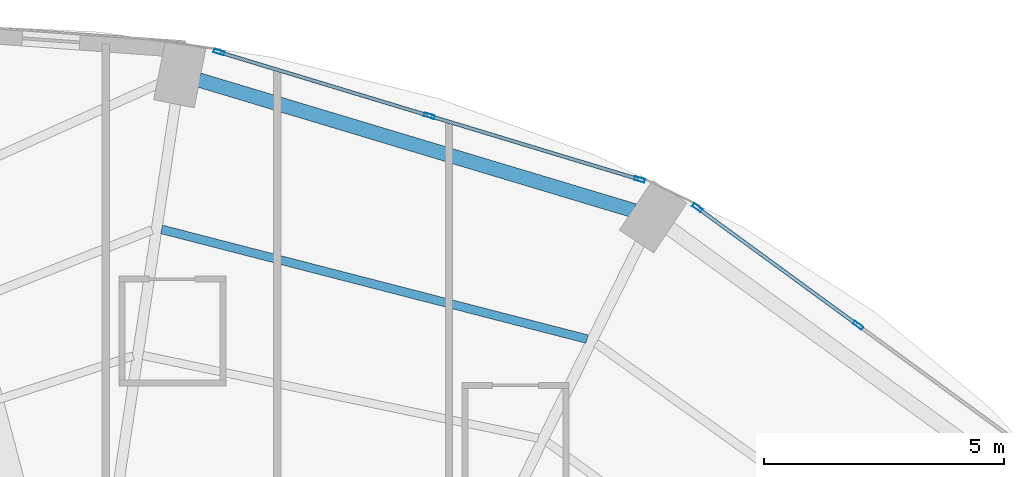
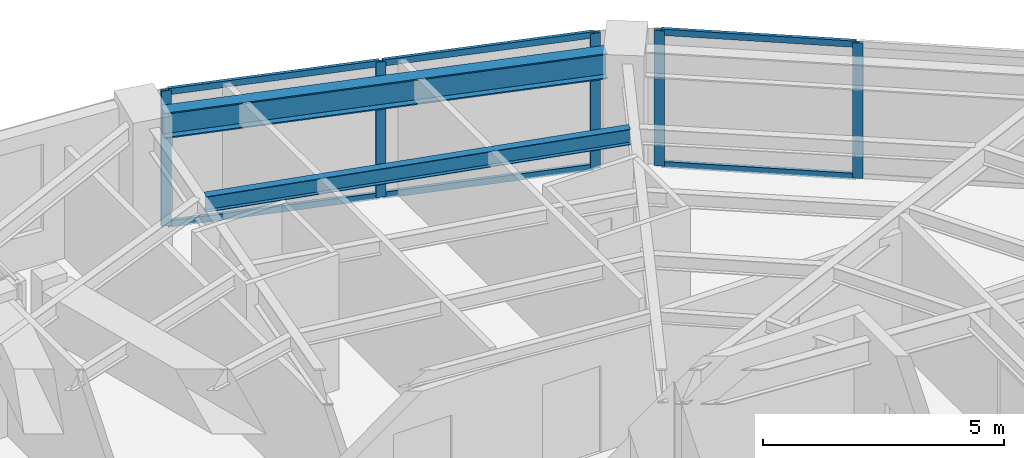
# One storey, part 18 of 25: 11 members, 2 beams, 2 elements without a shape of their own.
"""IFC4 building model written with IfcOpenShell, lengths in metres."""

import ifcopenshell
import ifcopenshell.guid

model = None  # the IFC model being written
_history = None  # IfcOwnerHistory: only IFC2X3 demands one
_inside = {}  # id of a spatial element -> (the spatial element, [elements in it])
_under = {}  # id of a project, library or spatial element -> (it, [spatial elements below it])
_declared = {}  # id of a project -> (the project, [libraries it declares])
_typed = {}  # id of a type object -> (the type object, [elements of that type])
_made_of = {}  # id of a material, layer set ... -> (it, [elements and type objects made of it])


def new_model(schema):
    """Start an empty IFC model of exactly this schema.

    Asked for "IFC4X3", IfcOpenShell would pick the latest addendum, in which some entities
    have other attributes; the version numbers below select the first issue.
    IFC2X3 requires an IfcOwnerHistory on every rooted entity: one is made here for all.
    """
    global model, _history
    if schema == "IFC4X3":
        model = ifcopenshell.file(schema_version=(4, 3, 0, 0))
    else:
        model = ifcopenshell.file(schema=schema)
    _inside.clear()
    _under.clear()
    _declared.clear()
    _typed.clear()
    _made_of.clear()
    _history = None
    if model.schema == "IFC2X3":
        org = make("IfcOrganization", Name="unknown")
        user = make(
            "IfcPersonAndOrganization",
            ThePerson=make("IfcPerson", FamilyName="unknown"),
            TheOrganization=org,
        )
        app = make(
            "IfcApplication",
            ApplicationDeveloper=org,
            Version="unknown",
            ApplicationFullName="unknown",
            ApplicationIdentifier="unknown",
        )
        _history = make(
            "IfcOwnerHistory",
            OwningUser=user,
            OwningApplication=app,
            ChangeAction="ADDED",
            CreationDate=0,
        )
    return model


def make(cls, **values):
    """One entity of the class cls with the attributes given. An attribute that is None is left unset."""
    return model.create_entity(
        cls, **{name: value for name, value in values.items() if value is not None}
    )


def rooted(cls, **values):
    """An entity with a GlobalId (a new one), such as an element, a storey or a relation."""
    return make(cls, GlobalId=ifcopenshell.guid.new(), OwnerHistory=_history, **values)


def si_unit(unit_type, name, prefix=None):
    """IfcSIUnit, for example si_unit("LENGTHUNIT", "METRE", prefix="MILLI")."""
    return make("IfcSIUnit", UnitType=unit_type, Prefix=prefix, Name=name)


def assignment(units):
    """IfcUnitAssignment: the units of a project."""
    return None if units is None else make("IfcUnitAssignment", Units=units)


def point(xyz):
    """IfcCartesianPoint."""
    return None if xyz is None else make("IfcCartesianPoint", Coordinates=xyz)


def direction(xyz):
    """IfcDirection."""
    return None if xyz is None else make("IfcDirection", DirectionRatios=xyz)


def frame(location, z_axis=None, x_axis=None):
    """IfcAxis2Placement3D, a coordinate frame: its origin and axes. An axis left out is left unset."""
    return make(
        "IfcAxis2Placement3D",
        Location=point(location),
        Axis=direction(z_axis),
        RefDirection=direction(x_axis),
    )


def frame_2d(location, x_axis=None):
    """IfcAxis2Placement2D, a coordinate frame in the plane: its origin and x axis."""
    return make(
        "IfcAxis2Placement2D", Location=point(location), RefDirection=direction(x_axis)
    )


def origin():
    """The frame at (0, 0, 0) with its axes left unset."""
    return frame((0.0, 0.0, 0.0))


def origin_2d():
    """The frame at (0, 0) in the plane with its x axis left unset."""
    return frame_2d((0.0, 0.0))


def place(relative_to, where):
    """IfcLocalPlacement: puts the frame where relative to a parent placement (None: the world)."""
    return make(
        "IfcLocalPlacement", PlacementRelTo=relative_to, RelativePlacement=where
    )


def context(
    kind, dimensions, precision=None, world=None, true_north=None, identifier=None
):
    """IfcGeometricRepresentationContext, for example the 3D "Model" context."""
    return make(
        "IfcGeometricRepresentationContext",
        ContextIdentifier=identifier,
        ContextType=kind,
        CoordinateSpaceDimension=dimensions,
        Precision=precision,
        WorldCoordinateSystem=world,
        TrueNorth=true_north,
    )


def subcontext(parent, identifier, kind, view, scale=None):
    """IfcGeometricRepresentationSubContext, for example "Body" below "Model"."""
    return make(
        "IfcGeometricRepresentationSubContext",
        ContextIdentifier=identifier,
        ContextType=kind,
        ParentContext=parent,
        TargetScale=scale,
        TargetView=view,
    )


def project(units=None, contexts=None):
    """IfcProject with its units and contexts."""
    return rooted(
        "IfcProject",
        Name="project",
        RepresentationContexts=contexts,
        UnitsInContext=assignment(units),
    )


def spatial(cls, under=None, at=None, **own):
    """A site, building, storey or space (cls), placed at a placement, below another one or the project."""
    s = rooted(cls, ObjectPlacement=at, **own)
    if under is not None:
        _under.setdefault(under.id(), (under, []))[1].append(s)
    return s


def profile(cls, at=None, kind="AREA", **sizes):
    """A parametric profile (cls). Its sizes go by their IFC names, for example OverallWidth=200.0."""
    return make(cls, ProfileType=kind, Position=at, **sizes)


def hollow_rectangle(**sizes):
    """IfcRectangleHollowProfileDef."""
    return profile("IfcRectangleHollowProfileDef", **sizes)


def i_section(**sizes):
    """IfcIShapeProfileDef."""
    return profile("IfcIShapeProfileDef", **sizes)


def extrude(swept, where, along, depth):
    """IfcExtrudedAreaSolid: the profile swept, set in the frame where, extruded along a direction by depth."""
    return make(
        "IfcExtrudedAreaSolid",
        SweptArea=swept,
        Position=where,
        ExtrudedDirection=direction(along),
        Depth=depth,
    )


def shape(context_of_items, identifier, shape_type, items):
    """IfcShapeRepresentation: the items that make up one representation, for example the "Body"."""
    return make(
        "IfcShapeRepresentation",
        ContextOfItems=context_of_items,
        RepresentationIdentifier=identifier,
        RepresentationType=shape_type,
        Items=items,
    )


def material(Name=None, Category=None):
    """IfcMaterial."""
    return make("IfcMaterial", Name=Name, Category=Category)


def layer(
    of_material, thickness, ventilated=None, Name=None, Category=None, Priority=None
):
    """IfcMaterialLayer: one layer of a wall or slab, of a material (None: an air gap)."""
    return make(
        "IfcMaterialLayer",
        Material=of_material,
        LayerThickness=thickness,
        IsVentilated=ventilated,
        Name=Name,
        Category=Category,
        Priority=Priority,
    )


def layer_set(layers, Name=None):
    """IfcMaterialLayerSet."""
    return make("IfcMaterialLayerSet", MaterialLayers=layers, LayerSetName=Name)


def material_profile(
    of_material, cross_section, Name=None, Category=None, Priority=None
):
    """IfcMaterialProfile: a cross section and its material."""
    return make(
        "IfcMaterialProfile",
        Name=Name,
        Material=of_material,
        Profile=cross_section,
        Priority=Priority,
        Category=Category,
    )


def profile_set(profiles, Name=None, composite=None):
    """IfcMaterialProfileSet."""
    return make(
        "IfcMaterialProfileSet",
        Name=Name,
        MaterialProfiles=profiles,
        CompositeProfile=composite,
    )


def made_of(thing, what):
    """Note that an element or type object is made of a material, layer set ...; save() writes the relation."""
    if what is not None:
        _made_of.setdefault(what.id(), (what, []))[1].append(thing)
    return thing


def type_object(cls, material=None, **own):
    """A type object (cls), such as IfcWallType, which elements share."""
    return made_of(rooted(cls, **own), material)


def element(
    cls,
    number,
    at=None,
    inside=None,
    cuts=None,
    type_object=None,
    material=None,
    context=None,
    identifier="Body",
    shape_type=None,
    held_by="IfcProductDefinitionShape",
    body=None,
    shapes=None,
    **own,
):
    """One element of the class cls, such as IfcWall. Its Tag is "e" and its number.

    at: its placement. inside: the storey or other place that contains it. cuts: it is an
    opening in that element (IfcRelVoidsElement). A single representation is given by context,
    identifier, shape_type and body (its items); several are given by shapes. held_by: the class
    of the entity that holds the representations. save() writes the other relations.
    """
    e = rooted(cls, Tag="e%d" % number, ObjectPlacement=at, **own)
    if body is not None:
        shapes = [shape(context, identifier, shape_type, body)]
    if shapes is not None:
        e.Representation = make(held_by, Representations=shapes)
    if inside is not None:
        _inside.setdefault(inside.id(), (inside, []))[1].append(e)
    if cuts is not None:
        rooted(
            "IfcRelVoidsElement", RelatingBuildingElement=cuts, RelatedOpeningElement=e
        )
    if type_object is not None:
        _typed.setdefault(type_object.id(), (type_object, []))[1].append(e)
    return made_of(e, material)


def aggregate(whole, parts):
    """IfcRelAggregates: a whole, such as a stair, and the parts it consists of."""
    return rooted("IfcRelAggregates", RelatingObject=whole, RelatedObjects=parts)


def save(model, path):
    """Write the relations noted so far, then the file.

    IfcRelAggregates (storeys below a building ...), IfcRelContainedInSpatialStructure (elements
    in a storey), IfcRelDefinesByType, IfcRelAssociatesMaterial and IfcRelDeclares: one each for
    every whole, place, type object, material and project.
    """
    for whole, parts in _under.values():
        aggregate(whole, parts)
    for where, things in _inside.values():
        rooted(
            "IfcRelContainedInSpatialStructure",
            RelatedElements=things,
            RelatingStructure=where,
        )
    for kind, things in _typed.values():
        rooted("IfcRelDefinesByType", RelatedObjects=things, RelatingType=kind)
    for what, things in _made_of.values():
        rooted("IfcRelAssociatesMaterial", RelatedObjects=things, RelatingMaterial=what)
    for by, libraries in _declared.values():
        rooted("IfcRelDeclares", RelatingContext=by, RelatedDefinitions=libraries)
    model.write(path)


model = new_model("IFC4")

# Units and contexts
model_context = context("Model", 3, precision=1e-05, world=origin(), true_north=direction((0.0, 1.0)))
body_context = subcontext(model_context, "Body", "Model", "MODEL_VIEW")
ifc_project = project(units=[si_unit("LENGTHUNIT", "METRE"), si_unit("AREAUNIT", "SQUARE_METRE"), si_unit("VOLUMEUNIT", "CUBIC_METRE"), si_unit("PLANEANGLEUNIT", "RADIAN"), si_unit("MASSUNIT", "GRAM", prefix="KILO")], contexts=[model_context])

# Site, building, storey
site_placement = place(None, origin())
site = spatial("IfcSite", under=ifc_project, at=site_placement, CompositionType="ELEMENT")
building_placement = place(site_placement, origin())
building = spatial("IfcBuilding", under=site, at=building_placement, Name="Lazwardi Medical Tower", CompositionType="ELEMENT")
storey_placement = place(building_placement, frame((0.0, 0.0, 50.736083984375)))
storey = spatial("IfcBuildingStorey", under=building, at=storey_placement, Name="L12", CompositionType="ELEMENT", Elevation=50.736083984375)

# Beams
ifc_material_1 = material(Name="Steel S355", Category="steel")
ifc_material_profile_1 = material_profile(ifc_material_1, i_section(OverallWidth=0.300048828125, OverallDepth=0.64990234375, WebThickness=0.01611328125, FlangeThickness=0.031005859375, at=origin_2d()), Name="HEB 650")
ifc_profile_set_1 = profile_set([ifc_material_profile_1], Name="Steel S355")
beam_type_1 = type_object("IfcBeamType", Name="BM-RB-Z1", PredefinedType="BEAM", material=ifc_profile_set_1)
beam_1_placement = place(storey_placement, frame((50.77880859375, 47.0048828125, 3.10302734375), z_axis=(-0.957695289269, 0.287784177662, 0.0), x_axis=(-0.287784177662, -0.957695289269, 0.0)))
element("IfcBeam", 1, at=beam_1_placement, inside=storey, type_object=beam_type_1, Name="Ring beam RB-02 B07 L12", PredefinedType="BEAM", context=body_context, shape_type="SweptSolid", body=[
    extrude(i_section(OverallWidth=0.300048828125, OverallDepth=0.64990234375, WebThickness=0.01611328125, FlangeThickness=0.031005859375, at=origin_2d()), origin(), (0.0, 0.0, 1.0), 9.445556640625),
])
ifc_material_profile_2 = material_profile(ifc_material_1, i_section(OverallWidth=0.179931640625, OverallDepth=0.39990234375, WebThickness=0.008544921875, FlangeThickness=0.013427734375, at=origin_2d()), Name="IPE 400")
ifc_profile_set_2 = profile_set([ifc_material_profile_2], Name="Steel S355")
beam_type_2 = type_object("IfcBeamType", Name="BM-SJ-01", PredefinedType="JOIST", material=ifc_profile_set_2)
beam_2_placement = place(storey_placement, frame((49.804931640625, 44.333251953125, 3.22802734375), z_axis=(-0.968316918308, 0.249724539682, 0.0), x_axis=(-0.249724539682, -0.968316918308, 0.0)))
element("IfcBeam", 2, at=beam_2_placement, inside=storey, type_object=beam_type_2, Name="Secondary joist SJ-01 R1 B07 L12", PredefinedType="JOIST", context=body_context, shape_type="SweptSolid", body=[
    extrude(i_section(OverallWidth=0.179931640625, OverallDepth=0.39990234375, WebThickness=0.008544921875, FlangeThickness=0.013427734375, at=origin_2d()), origin(), (0.0, 0.0, 1.0), 9.140869140625),
])

# Curtain wall, members
ifc_material_2 = material(Name="Anodised bronze aluminium and solar control glazing", Category="aluminium")
ifc_layer = layer(ifc_material_2, 0.199951171875)
ifc_layer_set = layer_set([ifc_layer], Name="Anodised bronze aluminium and solar control glazing")
curtain_wall_type = type_object("IfcCurtainWallType", Name="CW-SYS-02", PredefinedType="NOTDEFINED", material=ifc_layer_set)
curtain_wall_1_placement = place(storey_placement, origin())
curtain_wall_1 = element("IfcCurtainWall", 3, at=curtain_wall_1_placement, inside=storey, type_object=curtain_wall_type, Name="L12 Unitised bronze curtain wall CW-02", PredefinedType="NOTDEFINED")
ifc_material_3 = material(Name="Anodised bronze aluminium", Category="aluminium")
ifc_material_profile_3 = material_profile(ifc_material_3, hollow_rectangle(XDim=0.074951171875, YDim=0.219970703125, WallThickness=0.00390625, at=origin_2d()), Name="ALU-MULLION 220x75x4")
ifc_profile_set_3 = profile_set([ifc_material_profile_3], Name="Anodised bronze aluminium")
member_type_1 = type_object("IfcMemberType", Name="CW-MUL-01", PredefinedType="MULLION", material=ifc_profile_set_3)
member_1_placement = place(storey_placement, frame((55.4443359375, 44.619384765625, 0.0), z_axis=(0.0, 0.0, 1.0), x_axis=(-0.590289307341, -0.807191757663, 0.0)))
member_1 = element("IfcMember", 4, at=member_1_placement, type_object=member_type_1, Name="CW-02 mullion 2", PredefinedType="MULLION", context=body_context, shape_type="SweptSolid", body=[
    extrude(hollow_rectangle(XDim=0.074951171875, YDim=0.219970703125, WallThickness=0.00390625, at=origin_2d()), origin(), (0.0, 0.0, 1.0), 3.427978515625),
])
member_2_placement = place(storey_placement, frame((52.0986328125, 47.066162109375, 0.0), z_axis=(0.0, 0.0, 1.0), x_axis=(-0.590289307341, -0.807191757663, 0.0)))
member_2 = element("IfcMember", 5, at=member_2_placement, type_object=member_type_1, Name="CW-02 mullion 3", PredefinedType="MULLION", context=body_context, shape_type="SweptSolid", body=[
    extrude(hollow_rectangle(XDim=0.074951171875, YDim=0.219970703125, WallThickness=0.00390625, at=origin_2d()), origin(), (0.0, 0.0, 1.0), 3.427978515625),
])

curtain_wall_2_placement = place(storey_placement, origin())
curtain_wall_2 = element("IfcCurtainWall", 6, at=curtain_wall_2_placement, inside=storey, type_object=curtain_wall_type, Name="L12 Unitised bronze curtain wall CW-02", PredefinedType="NOTDEFINED")
member_3_placement = place(storey_placement, frame((50.8984375, 47.653076171875, 0.0), z_axis=(0.0, 0.0, 1.0), x_axis=(-0.2898956909, -0.957058247129, 0.0)))
member_3 = element("IfcMember", 7, at=member_3_placement, type_object=member_type_1, Name="CW-02 mullion 1", PredefinedType="MULLION", context=body_context, shape_type="SweptSolid", body=[
    extrude(hollow_rectangle(XDim=0.074951171875, YDim=0.219970703125, WallThickness=0.00390625, at=origin_2d()), origin(), (0.0, 0.0, 1.0), 3.427978515625),
])
member_4_placement = place(storey_placement, frame((46.523193359375, 48.978515625, 0.0), z_axis=(0.0, 0.0, 1.0), x_axis=(-0.2898956909, -0.957058247129, 0.0)))
member_4 = element("IfcMember", 8, at=member_4_placement, type_object=member_type_1, Name="CW-02 mullion 2", PredefinedType="MULLION", context=body_context, shape_type="SweptSolid", body=[
    extrude(hollow_rectangle(XDim=0.074951171875, YDim=0.219970703125, WallThickness=0.00390625, at=origin_2d()), origin(), (0.0, 0.0, 1.0), 3.427978515625),
])
member_5_placement = place(storey_placement, frame((42.14794921875, 50.3037109375, 0.0), z_axis=(0.0, 0.0, 1.0), x_axis=(-0.2898956909, -0.957058247129, 0.0)))
member_5 = element("IfcMember", 9, at=member_5_placement, type_object=member_type_1, Name="CW-02 mullion 3", PredefinedType="MULLION", context=body_context, shape_type="SweptSolid", body=[
    extrude(hollow_rectangle(XDim=0.074951171875, YDim=0.219970703125, WallThickness=0.00390625, at=origin_2d()), origin(), (0.0, 0.0, 1.0), 3.427978515625),
])

# Member
ifc_material_profile_4 = material_profile(ifc_material_3, hollow_rectangle(XDim=0.074951171875, YDim=0.159912109375, WallThickness=0.00390625, at=origin_2d()), Name="ALU-TRANSOM 160x75x4")
ifc_profile_set_4 = profile_set([ifc_material_profile_4], Name="Anodised bronze aluminium")
member_type_2 = type_object("IfcMemberType", Name="CW-TRN-01", PredefinedType="USERDEFINED", material=ifc_profile_set_4)
member_6_placement = place(storey_placement, frame((55.4140625, 44.641357421875, 0.037353515625), z_axis=(-0.807169053975, 0.590320352271, 0.0), x_axis=(-0.590320352271, -0.807169053975, 0.0)))
member_6 = element("IfcMember", 10, at=member_6_placement, type_object=member_type_2, Name="CW-02 transom 2.1", ObjectType="TRANSOM", PredefinedType="USERDEFINED", context=body_context, shape_type="SweptSolid", body=[
    extrude(hollow_rectangle(XDim=0.074951171875, YDim=0.159912109375, WallThickness=0.00390625, at=origin_2d()), origin(), (0.0, 0.0, 1.0), 4.070068359375),
])

member_7_placement = place(storey_placement, frame((55.4140625, 44.641357421875, 3.390380859375), z_axis=(-0.807169053975, 0.590320352271, 0.0), x_axis=(-0.590320352271, -0.807169053975, 0.0)))
member_7 = element("IfcMember", 11, at=member_7_placement, type_object=member_type_2, Name="CW-02 transom 2.2", ObjectType="TRANSOM", PredefinedType="USERDEFINED", context=body_context, shape_type="SweptSolid", body=[
    extrude(hollow_rectangle(XDim=0.074951171875, YDim=0.159912109375, WallThickness=0.00390625, at=origin_2d()), origin(), (0.0, 0.0, 1.0), 4.070068359375),
])

aggregate(curtain_wall_1, [member_1, member_2, member_6, member_7])

member_8_placement = place(storey_placement, frame((50.862548828125, 47.6640625, 0.037353515625), z_axis=(-0.957062297904, 0.289882317383, 0.0), x_axis=(-0.289882317383, -0.957062297904, 0.0)))
member_8 = element("IfcMember", 12, at=member_8_placement, type_object=member_type_2, Name="CW-02 transom 1.1", ObjectType="TRANSOM", PredefinedType="USERDEFINED", context=body_context, shape_type="SweptSolid", body=[
    extrude(hollow_rectangle(XDim=0.074951171875, YDim=0.159912109375, WallThickness=0.00390625, at=origin_2d()), origin(), (0.0, 0.0, 1.0), 4.49658203125),
])

member_9_placement = place(storey_placement, frame((50.862548828125, 47.6640625, 3.390380859375), z_axis=(-0.957062297904, 0.289882317383, 0.0), x_axis=(-0.289882317383, -0.957062297904, 0.0)))
member_9 = element("IfcMember", 13, at=member_9_placement, type_object=member_type_2, Name="CW-02 transom 1.2", ObjectType="TRANSOM", PredefinedType="USERDEFINED", context=body_context, shape_type="SweptSolid", body=[
    extrude(hollow_rectangle(XDim=0.074951171875, YDim=0.159912109375, WallThickness=0.00390625, at=origin_2d()), origin(), (0.0, 0.0, 1.0), 4.49658203125),
])

member_10_placement = place(storey_placement, frame((46.4873046875, 48.9892578125, 0.037353515625), z_axis=(-0.957047233423, 0.28993204893, 0.0), x_axis=(-0.28993204893, -0.957047233423, 0.0)))
member_10 = element("IfcMember", 14, at=member_10_placement, type_object=member_type_2, Name="CW-02 transom 2.1", ObjectType="TRANSOM", PredefinedType="USERDEFINED", context=body_context, shape_type="SweptSolid", body=[
    extrude(hollow_rectangle(XDim=0.074951171875, YDim=0.159912109375, WallThickness=0.00390625, at=origin_2d()), origin(), (0.0, 0.0, 1.0), 4.49658203125),
])

member_11_placement = place(storey_placement, frame((46.4873046875, 48.9892578125, 3.390380859375), z_axis=(-0.957047233423, 0.28993204893, 0.0), x_axis=(-0.28993204893, -0.957047233423, 0.0)))
member_11 = element("IfcMember", 15, at=member_11_placement, type_object=member_type_2, Name="CW-02 transom 2.2", ObjectType="TRANSOM", PredefinedType="USERDEFINED", context=body_context, shape_type="SweptSolid", body=[
    extrude(hollow_rectangle(XDim=0.074951171875, YDim=0.159912109375, WallThickness=0.00390625, at=origin_2d()), origin(), (0.0, 0.0, 1.0), 4.49658203125),
])

aggregate(curtain_wall_2, [member_3, member_4, member_5, member_8, member_9, member_10, member_11])

save(model, "model.ifc")
